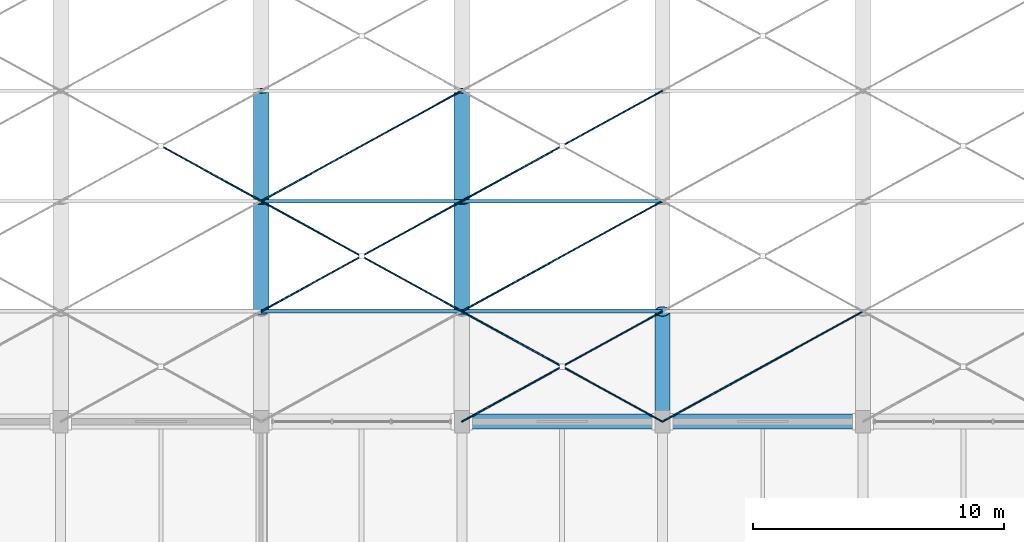
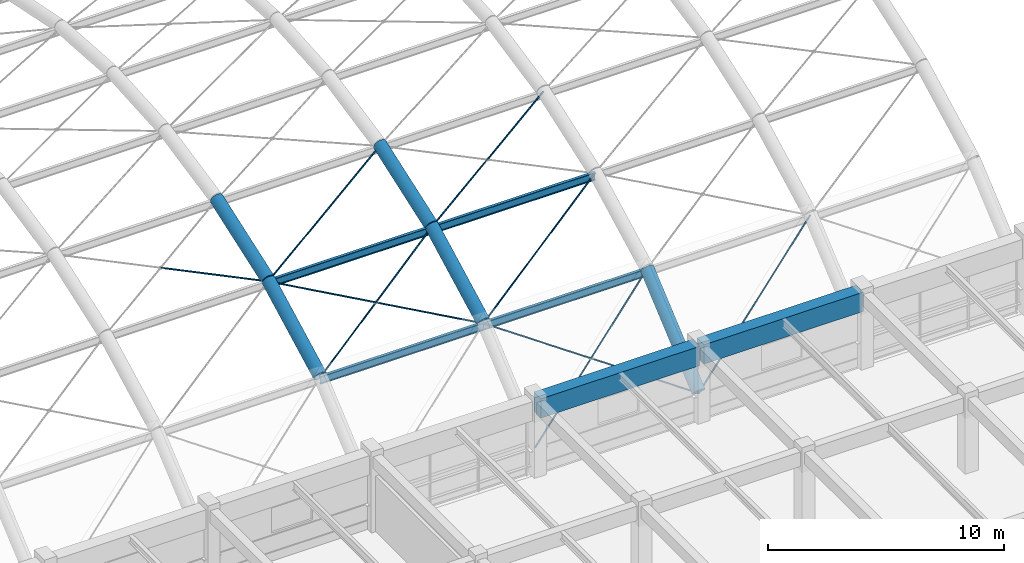
# One storey, part 81 of 126: 11 beams, 11 members.
"""IFC4 building model written with IfcOpenShell, lengths in metres."""

from ifc_helpers import new_model, si_unit, direction, frame, origin, origin_2d, place, context, subcontext, project, spatial, rectangle, circle, hollow_circle, i_section, extrude, material, material_profile, profile_set, type_object, element, save


model = new_model("IFC4")

# Units and contexts
model_context = context("Model", 3, precision=1e-05, world=origin(), true_north=direction((0.0, 1.0)))
body_context = subcontext(model_context, "Body", "Model", "MODEL_VIEW")
ifc_project = project(units=[si_unit("LENGTHUNIT", "METRE"), si_unit("AREAUNIT", "SQUARE_METRE"), si_unit("VOLUMEUNIT", "CUBIC_METRE"), si_unit("PLANEANGLEUNIT", "RADIAN"), si_unit("MASSUNIT", "GRAM", prefix="KILO")], contexts=[model_context])

# Site, building, storey
site_placement = place(None, origin())
site = spatial("IfcSite", under=ifc_project, at=site_placement, CompositionType="ELEMENT")
building_placement = place(site_placement, origin())
building = spatial("IfcBuilding", under=site, at=building_placement, Name="Varnabhumi Central Station", CompositionType="ELEMENT")
storey_placement = place(building_placement, frame((0.0, 0.0, 16.199951171875)))
storey = spatial("IfcBuildingStorey", under=building, at=storey_placement, Name="L03", CompositionType="ELEMENT", Elevation=16.199951171875)

# Beams
ifc_material_1 = material(Name="Structural steel E450", Category="steel")
ifc_material_profile_1 = material_profile(ifc_material_1, hollow_circle(Radius=0.304931640625, WallThickness=0.02490234375, at=origin_2d()), Name="Structural steel E450", Category="steel")
ifc_profile_set_1 = profile_set([ifc_material_profile_1], Name="Structural steel E450")
beam_type_1 = type_object("IfcBeamType", Name="BM-ARCH-CHS610", PredefinedType="BEAM", material=ifc_profile_set_1)
beam_1_placement = place(storey_placement, frame((152.0, 40.39990234375, 5.0966796875), z_axis=(0.0, 0.88562177592, 0.464407224337), x_axis=(-1.0, 0.0, 0.0)))
element("IfcBeam", 1, at=beam_1_placement, inside=storey, type_object=beam_type_1, Name="Platform Train-Shed Vault Arch Rib 4 Seg 2", PredefinedType="BEAM", context=body_context, shape_type="SweptSolid", body=[
    extrude(hollow_circle(Radius=0.304931640625, WallThickness=0.02490234375, at=origin_2d()), origin(), (0.0, 0.0, 1.0), 4.968505859375),
])
beam_2_placement = place(storey_placement, frame((152.0, 44.800048828125, 7.404052734375), z_axis=(0.0, 0.943395522007, 0.331669849486), x_axis=(-1.0, 0.0, 0.0)))
element("IfcBeam", 2, at=beam_2_placement, inside=storey, type_object=beam_type_1, Name="Platform Train-Shed Vault Arch Rib 4 Seg 3", PredefinedType="BEAM", context=body_context, shape_type="SweptSolid", body=[
    extrude(hollow_circle(Radius=0.304931640625, WallThickness=0.02490234375, at=origin_2d()), origin(), (0.0, 0.0, 1.0), 4.663818359375),
])
beam_3_placement = place(storey_placement, frame((160.0, 40.39990234375, 5.0966796875), z_axis=(0.0, 0.88562177592, 0.464407224337), x_axis=(-1.0, 0.0, 0.0)))
element("IfcBeam", 3, at=beam_3_placement, inside=storey, type_object=beam_type_1, Name="Platform Train-Shed Vault Arch Rib 5 Seg 2", PredefinedType="BEAM", context=body_context, shape_type="SweptSolid", body=[
    extrude(hollow_circle(Radius=0.304931640625, WallThickness=0.02490234375, at=origin_2d()), origin(), (0.0, 0.0, 1.0), 4.968505859375),
])
beam_4_placement = place(storey_placement, frame((160.0, 44.800048828125, 7.404052734375), z_axis=(0.0, 0.943395522007, 0.331669849486), x_axis=(-1.0, 0.0, 0.0)))
element("IfcBeam", 4, at=beam_4_placement, inside=storey, type_object=beam_type_1, Name="Platform Train-Shed Vault Arch Rib 5 Seg 3", PredefinedType="BEAM", context=body_context, shape_type="SweptSolid", body=[
    extrude(hollow_circle(Radius=0.304931640625, WallThickness=0.02490234375, at=origin_2d()), origin(), (0.0, 0.0, 1.0), 4.663818359375),
])
beam_5_placement = place(storey_placement, frame((168.0, 36.0, 1.35009765625), z_axis=(0.0, 0.761369888875, 0.648317740244), x_axis=(-1.0, 0.0, 0.0)))
element("IfcBeam", 5, at=beam_5_placement, inside=storey, type_object=beam_type_1, Name="Platform Train-Shed Vault Arch Rib 6 Seg 1", PredefinedType="BEAM", context=body_context, shape_type="SweptSolid", body=[
    extrude(hollow_circle(Radius=0.304931640625, WallThickness=0.02490234375, at=origin_2d()), origin(), (0.0, 0.0, 1.0), 5.77880859375),
])
ifc_material_2 = material(Name="Structural steel E350", Category="steel")
ifc_material_profile_2 = material_profile(ifc_material_2, i_section(OverallWidth=0.139892578125, OverallDepth=0.39990234375, WebThickness=0.0087890625, FlangeThickness=0.01611328125, FilletRadius=0.013916015625, at=origin_2d()), Name="Structural steel E350", Category="steel")
ifc_profile_set_2 = profile_set([ifc_material_profile_2], Name="Structural steel E350")
beam_type_2 = type_object("IfcBeamType", Name="BM-PUR-ISMB400", PredefinedType="LINTEL", material=ifc_profile_set_2)
for number, where, z_axis, x_axis, name in (
    (6, (152.0, 40.39990234375, 4.896728515625), (1.0, 0.0, 0.0), (0.0, 1.0, 0.0), "Platform Train-Shed Vault Purlin B4-L1"),
    (7, (152.0, 44.800048828125, 7.203857421875), (1.0, 0.0, 0.0), (0.0, 1.0, 0.0), "Platform Train-Shed Vault Purlin B4-L2"),
    (8, (160.0, 40.39990234375, 4.896728515625), (1.0, 0.0, 0.0), (0.0, 1.0, 0.0), "Platform Train-Shed Vault Purlin B5-L1"),
    (9, (160.0, 44.800048828125, 7.203857421875), (1.0, 0.0, 0.0), (0.0, 1.0, 0.0), "Platform Train-Shed Vault Purlin B5-L2"),
):
    element("IfcBeam", number, at=place(storey_placement, frame(where, z_axis=z_axis, x_axis=x_axis)), inside=storey, type_object=beam_type_2, Name=name, PredefinedType="LINTEL", context=body_context, shape_type="SweptSolid", body=[
        extrude(i_section(OverallWidth=0.139892578125, OverallDepth=0.39990234375, WebThickness=0.0087890625, FlangeThickness=0.01611328125, FilletRadius=0.013916015625, at=origin_2d()), origin(), (0.0, 0.0, 1.0), 8.0),
    ])
ifc_material_3 = material(Name="Concrete M50", Category="concrete")
ifc_material_profile_3 = material_profile(ifc_material_3, rectangle(XDim=0.60009765625, YDim=1.0, at=origin_2d()), Name="Concrete M50", Category="concrete")
ifc_profile_set_3 = profile_set([ifc_material_profile_3], Name="Concrete M50")
beam_type_3 = type_object("IfcBeamType", Name="BM-RC-600x1000", PredefinedType="BEAM", material=ifc_profile_set_3)
for number, where, z_axis, x_axis, name in (
    (10, (160.10009765625, 36.0, 3.420166015625), (1.0, 0.0, 0.0), (0.0, 1.0, 0.0), "Beam L03-E:21-22"),
    (11, (168.10009765625, 36.0, 3.420166015625), (1.0, 0.0, 0.0), (0.0, 1.0, 0.0), "Beam L03-E:22-23"),
):
    element("IfcBeam", number, at=place(storey_placement, frame(where, z_axis=z_axis, x_axis=x_axis)), inside=storey, type_object=beam_type_3, Name=name, PredefinedType="BEAM", context=body_context, shape_type="SweptSolid", body=[
        extrude(rectangle(XDim=0.60009765625, YDim=1.0, at=origin_2d()), origin(), (0.0, 0.0, 1.0), 7.7998046875),
    ])

# Members
ifc_material_4 = material(Name="Spiral-strand steel S1570", Category="steel")
ifc_material_profile_4 = material_profile(ifc_material_4, circle(Radius=0.030029296875, at=origin_2d()), Name="Spiral-strand steel S1570", Category="steel")
ifc_profile_set_4 = profile_set([ifc_material_profile_4], Name="Spiral-strand steel S1570")
member_type = type_object("IfcMemberType", Name="MBR-CABLE-D60", PredefinedType="USERDEFINED", material=ifc_profile_set_4)
member_1_placement = place(storey_placement, frame((148.0, 47.0, 8.097412109375), z_axis=(0.863908907652, -0.475139353446, -0.167044886441), x_axis=(0.481910537812, 0.876220425204, 0.0)))
element("IfcMember", 12, at=member_1_placement, inside=storey, type_object=member_type, Name="Platform Train-Shed Vault Cable-Net Split Tie B3-P3B2", ObjectType="TENSION CABLE", PredefinedType="USERDEFINED", context=body_context, shape_type="SweptSolid", body=[
    extrude(circle(Radius=0.030029296875, at=origin_2d()), origin(), (0.0, 0.0, 1.0), 4.630126953125),
])
member_2_placement = place(storey_placement, frame((152.0, 40.39990234375, 5.0166015625), z_axis=(0.849501727798, 0.46724150513, 0.245014673749), x_axis=(-0.481931067474, 0.876209133828, 0.0)))
element("IfcMember", 13, at=member_2_placement, inside=storey, type_object=member_type, Name="Platform Train-Shed Vault Cable-Net Tie B4-P2A", ObjectType="TENSION CABLE", PredefinedType="USERDEFINED", context=body_context, shape_type="SweptSolid", body=[
    extrude(circle(Radius=0.030029296875, at=origin_2d()), origin(), (0.0, 0.0, 1.0), 9.417236328125),
])
member_3_placement = place(storey_placement, frame((152.0, 44.800048828125, 7.323974609375), z_axis=(0.849517413756, -0.46722420748, -0.244993272705), x_axis=(0.481910537812, 0.876220425204, 0.0)))
element("IfcMember", 14, at=member_3_placement, inside=storey, type_object=member_type, Name="Platform Train-Shed Vault Cable-Net Split Tie B4-P2B1", ObjectType="TENSION CABLE", PredefinedType="USERDEFINED", context=body_context, shape_type="SweptSolid", body=[
    extrude(circle(Radius=0.030029296875, at=origin_2d()), origin(), (0.0, 0.0, 1.0), 4.70849609375),
])
member_4_placement = place(storey_placement, frame((156.0, 42.60009765625, 6.17041015625), z_axis=(0.849486041567, -0.467258801672, -0.245036073758), x_axis=(0.481951596342, 0.876197842262, 0.0)))
element("IfcMember", 15, at=member_4_placement, inside=storey, type_object=member_type, Name="Platform Train-Shed Vault Cable-Net Split Tie B4-P2B2", ObjectType="TENSION CABLE", PredefinedType="USERDEFINED", context=body_context, shape_type="SweptSolid", body=[
    extrude(circle(Radius=0.030029296875, at=origin_2d()), origin(), (0.0, 0.0, 1.0), 4.708740234375),
])
member_5_placement = place(storey_placement, frame((152.0, 44.800048828125, 7.323974609375), z_axis=(0.863908907652, 0.475139353446, 0.167044886441), x_axis=(-0.481910537812, 0.876220425204, 0.0)))
element("IfcMember", 16, at=member_5_placement, inside=storey, type_object=member_type, Name="Platform Train-Shed Vault Cable-Net Tie B4-P3A", ObjectType="TENSION CABLE", PredefinedType="USERDEFINED", context=body_context, shape_type="SweptSolid", body=[
    extrude(circle(Radius=0.030029296875, at=origin_2d()), origin(), (0.0, 0.0, 1.0), 9.26025390625),
])
member_6_placement = place(storey_placement, frame((160.0, 36.0, 1.27001953125), z_axis=(0.810623868746, 0.4458332325, 0.379633602593), x_axis=(-0.481910537812, 0.876220425204, 0.0)))
element("IfcMember", 17, at=member_6_placement, inside=storey, type_object=member_type, Name="Platform Train-Shed Vault Cable-Net Tie B5-P1A", ObjectType="TENSION CABLE", PredefinedType="USERDEFINED", context=body_context, shape_type="SweptSolid", body=[
    extrude(circle(Radius=0.030029296875, at=origin_2d()), origin(), (0.0, 0.0, 1.0), 9.868896484375),
])
for number, where, z_axis, x_axis, name in (
    (18, (160.0, 40.39990234375, 5.0166015625), (0.810623868746, -0.4458332325, -0.379633602593), (0.481910537812, 0.876220425204, 0.0), "Platform Train-Shed Vault Cable-Net Split Tie B5-P1B1"),
    (19, (164.0, 38.199951171875, 3.143310546875), (0.810623868746, -0.4458332325, -0.379633602593), (0.481910537812, 0.876220425204, 0.0), "Platform Train-Shed Vault Cable-Net Split Tie B5-P1B2"),
):
    element("IfcMember", number, at=place(storey_placement, frame(where, z_axis=z_axis, x_axis=x_axis)), inside=storey, type_object=member_type, Name=name, ObjectType="TENSION CABLE", PredefinedType="USERDEFINED", context=body_context, shape_type="SweptSolid", body=[
        extrude(circle(Radius=0.030029296875, at=origin_2d()), origin(), (0.0, 0.0, 1.0), 4.9345703125),
    ])
member_7_placement = place(storey_placement, frame((160.0, 40.39990234375, 5.0166015625), z_axis=(0.849501727798, 0.46724150513, 0.245014673749), x_axis=(-0.481931067474, 0.876209133828, 0.0)))
element("IfcMember", 20, at=member_7_placement, inside=storey, type_object=member_type, Name="Platform Train-Shed Vault Cable-Net Tie B5-P2A", ObjectType="TENSION CABLE", PredefinedType="USERDEFINED", context=body_context, shape_type="SweptSolid", body=[
    extrude(circle(Radius=0.030029296875, at=origin_2d()), origin(), (0.0, 0.0, 1.0), 9.417236328125),
])
member_8_placement = place(storey_placement, frame((160.0, 44.800048828125, 7.323974609375), z_axis=(0.863908907652, 0.475139353446, 0.167044886441), x_axis=(-0.481910537812, 0.876220425204, 0.0)))
element("IfcMember", 21, at=member_8_placement, inside=storey, type_object=member_type, Name="Platform Train-Shed Vault Cable-Net Tie B5-P3A", ObjectType="TENSION CABLE", PredefinedType="USERDEFINED", context=body_context, shape_type="SweptSolid", body=[
    extrude(circle(Radius=0.030029296875, at=origin_2d()), origin(), (0.0, 0.0, 1.0), 9.26025390625),
])
member_9_placement = place(storey_placement, frame((168.0, 36.0, 1.27001953125), z_axis=(0.810623868746, 0.4458332325, 0.379633602593), x_axis=(-0.481910537812, 0.876220425204, 0.0)))
element("IfcMember", 22, at=member_9_placement, inside=storey, type_object=member_type, Name="Platform Train-Shed Vault Cable-Net Tie B6-P1A", ObjectType="TENSION CABLE", PredefinedType="USERDEFINED", context=body_context, shape_type="SweptSolid", body=[
    extrude(circle(Radius=0.030029296875, at=origin_2d()), origin(), (0.0, 0.0, 1.0), 9.868896484375),
])

save(model, "model.ifc")
